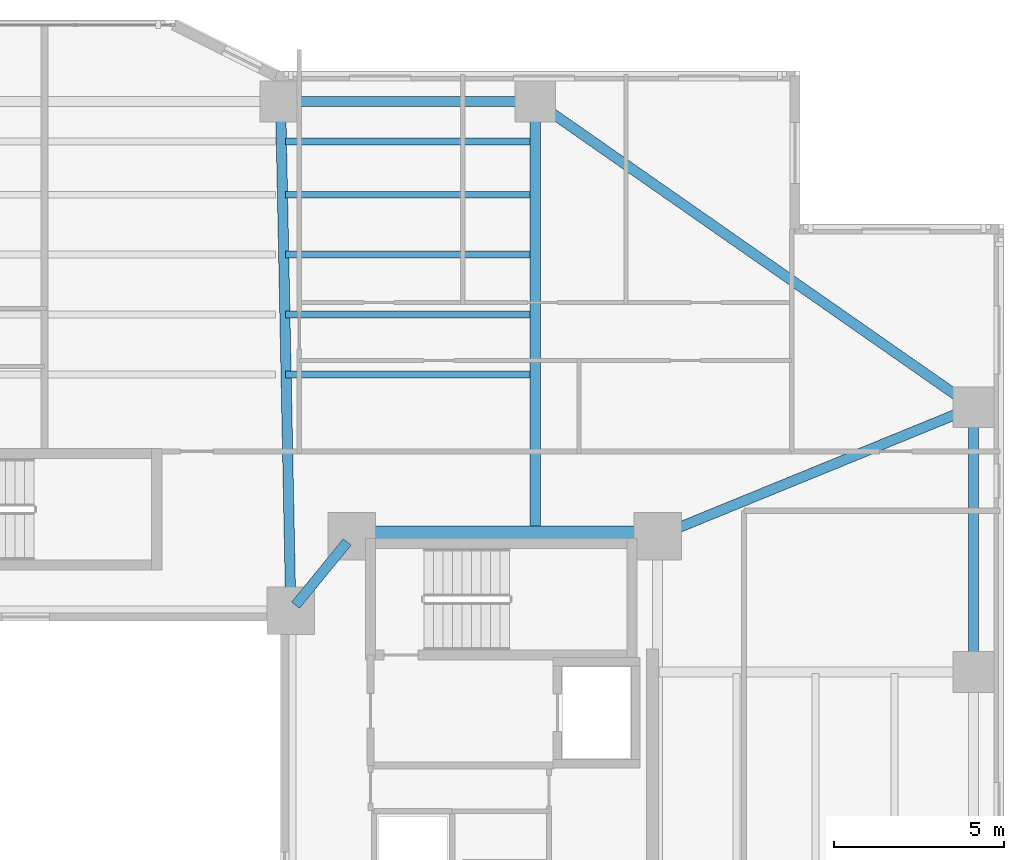
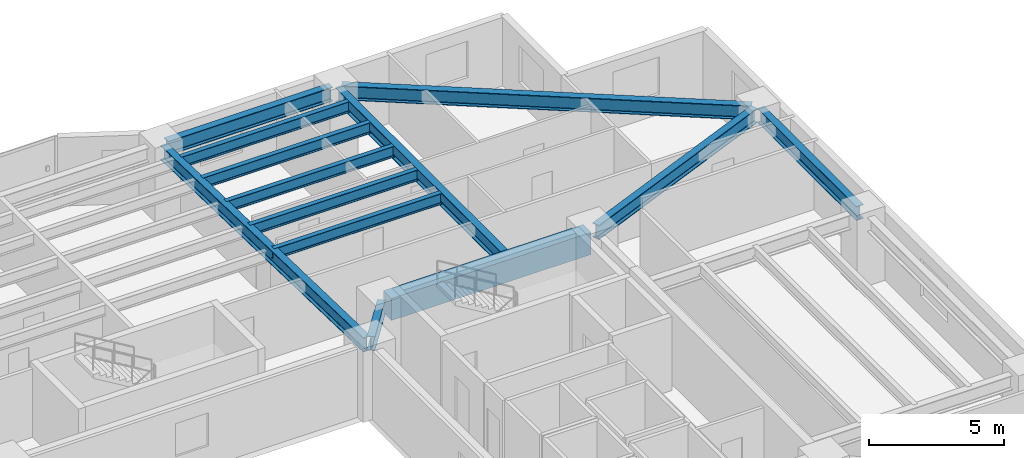
# One storey, part 7 of 20: 13 beams.
"""IFC4 building model written with IfcOpenShell, lengths in metres."""

from ifc_helpers import new_model, si_unit, direction, frame, origin, origin_2d, place, context, subcontext, project, spatial, rectangle, i_section, extrude, material, material_profile, profile_set, type_object, element, save


model = new_model("IFC4")

# Units and contexts
model_context = context("Model", 3, precision=1e-05, world=origin(), true_north=direction((0.0, 1.0)))
body_context = subcontext(model_context, "Body", "Model", "MODEL_VIEW")
ifc_project = project(units=[si_unit("LENGTHUNIT", "METRE"), si_unit("AREAUNIT", "SQUARE_METRE"), si_unit("VOLUMEUNIT", "CUBIC_METRE"), si_unit("PLANEANGLEUNIT", "RADIAN"), si_unit("MASSUNIT", "GRAM", prefix="KILO")], contexts=[model_context])

# Site, building, storey
site_placement = place(None, origin())
site = spatial("IfcSite", under=ifc_project, at=site_placement, CompositionType="ELEMENT")
building_placement = place(site_placement, origin())
building = spatial("IfcBuilding", under=site, at=building_placement, Name="Tarnavaz Court Tower", CompositionType="ELEMENT")
storey_placement = place(building_placement, frame((0.0, 0.0, 34.050048828125)))
storey = spatial("IfcBuildingStorey", under=building, at=storey_placement, Name="L08", CompositionType="ELEMENT", Elevation=34.050048828125)

# Beams
ifc_material_1 = material(Name="Concrete C60/75", Category="concrete")
ifc_material_profile_1 = material_profile(ifc_material_1, rectangle(XDim=0.60009765625, YDim=1.0, at=origin_2d()), Name="RC 600X1000")
ifc_profile_set_1 = profile_set([ifc_material_profile_1], Name="Concrete C60/75")
beam_type_1 = type_object("IfcBeamType", Name="BM-CB1000", PredefinedType="LINTEL", material=ifc_profile_set_1)
beam_1_placement = place(storey_placement, frame((18.3798828125, 10.0, 2.599853515625), z_axis=(-1.0, 0.0, 0.0), x_axis=(0.0, -1.0, 0.0)))
element("IfcBeam", 1, at=beam_1_placement, inside=storey, type_object=beam_type_1, Name="L08 Beam IN-CE-NO-CE-NI", PredefinedType="LINTEL", context=body_context, shape_type="SweptSolid", body=[
    extrude(rectangle(XDim=0.60009765625, YDim=1.0, at=origin_2d()), origin(), (0.0, 0.0, 1.0), 8.559814453125),
])
ifc_material_2 = material(Name="Steel S355", Category="steel")
ifc_material_profile_2 = material_profile(ifc_material_2, i_section(OverallWidth=0.300048828125, OverallDepth=0.64990234375, WebThickness=0.01611328125, FlangeThickness=0.031005859375, FilletRadius=0.027099609375, at=origin_2d()), Name="HEB 650")
ifc_profile_set_2 = profile_set([ifc_material_profile_2], Name="Steel S355")
beam_type_2 = type_object("IfcBeamType", Name="BM-G-HEB650", PredefinedType="USERDEFINED", material=ifc_profile_set_2)
beam_2_placement = place(storey_placement, frame((9.460693359375, 9.82958984375, 2.77490234375), z_axis=(-0.633282058357, -0.773921077735, 0.0), x_axis=(0.773921077735, -0.633282058357, 0.0)))
element("IfcBeam", 2, at=beam_2_placement, inside=storey, type_object=beam_type_2, Name="L08 Beam IN-CE-NI-IW-NE", ObjectType="GIRDER", PredefinedType="USERDEFINED", context=body_context, shape_type="SweptSolid", body=[
    extrude(i_section(OverallWidth=0.300048828125, OverallDepth=0.64990234375, WebThickness=0.01611328125, FlangeThickness=0.031005859375, FilletRadius=0.027099609375, at=origin_2d()), origin(), (0.0, 0.0, 1.0), 2.402587890625),
])
beam_3_placement = place(storey_placement, frame((7.795654296875, 8.02001953125, 2.77490234375), z_axis=(-0.020000023066, 0.999799979535, 0.0), x_axis=(-0.999799979535, -0.020000023066, 0.0)))
element("IfcBeam", 3, at=beam_3_placement, inside=storey, type_object=beam_type_2, Name="L08 Beam RG-03", ObjectType="GIRDER", PredefinedType="USERDEFINED", context=body_context, shape_type="SweptSolid", body=[
    extrude(i_section(OverallWidth=0.300048828125, OverallDepth=0.64990234375, WebThickness=0.01611328125, FlangeThickness=0.031005859375, FilletRadius=0.027099609375, at=origin_2d()), origin(), (0.0, 0.0, 1.0), 14.56298828125),
])
beam_4_placement = place(storey_placement, frame((15.0, 10.0400390625, 2.77490234375), z_axis=(0.0, 1.0, 0.0), x_axis=(-1.0, 0.0, 0.0)))
element("IfcBeam", 4, at=beam_4_placement, inside=storey, type_object=beam_type_2, Name="L08 Beam RG-04", ObjectType="GIRDER", PredefinedType="USERDEFINED", context=body_context, shape_type="SweptSolid", body=[
    extrude(i_section(OverallWidth=0.300048828125, OverallDepth=0.64990234375, WebThickness=0.01611328125, FlangeThickness=0.031005859375, FilletRadius=0.027099609375, at=origin_2d()), origin(), (0.0, 0.0, 1.0), 12.5400390625),
])
beam_5_placement = place(storey_placement, frame((18.8037109375, 10.083251953125, 2.77490234375), z_axis=(0.925704761705, 0.378246869329, 0.0), x_axis=(-0.378246869329, 0.925704761705, 0.0)))
element("IfcBeam", 5, at=beam_5_placement, inside=storey, type_object=beam_type_2, Name="L08 Beam RG-12", ObjectType="GIRDER", PredefinedType="USERDEFINED", context=body_context, shape_type="SweptSolid", body=[
    extrude(i_section(OverallWidth=0.300048828125, OverallDepth=0.64990234375, WebThickness=0.01611328125, FlangeThickness=0.031005859375, FilletRadius=0.027099609375, at=origin_2d()), origin(), (0.0, 0.0, 1.0), 9.606201171875),
])
ifc_material_profile_3 = material_profile(ifc_material_2, i_section(OverallWidth=0.199951171875, OverallDepth=0.5, WebThickness=0.01025390625, FlangeThickness=0.01611328125, FilletRadius=0.02099609375, at=origin_2d()), Name="IPE 500")
ifc_profile_set_3 = profile_set([ifc_material_profile_3], Name="Steel S355")
beam_type_3 = type_object("IfcBeamType", Name="BM-J-IPE500", PredefinedType="JOIST", material=ifc_profile_set_3)
for number, where, z_axis, x_axis, name in (
    (6, (7.64990234375, 14.763916015625, 2.849853515625), (1.0, 0.0, 0.0), (0.0, 1.0, 0.0), "L08 Beam JN1-3"),
    (7, (7.64990234375, 16.528076171875, 2.849853515625), (1.0, 0.0, 0.0), (0.0, 1.0, 0.0), "L08 Beam JN2-3"),
    (8, (7.64990234375, 18.2919921875, 2.849853515625), (1.0, 0.0, 0.0), (0.0, 1.0, 0.0), "L08 Beam JN3-3"),
    (9, (7.64990234375, 20.055908203125, 2.849853515625), (1.0, 0.0, 0.0), (0.0, 1.0, 0.0), "L08 Beam JN4-3"),
    (10, (7.64990234375, 21.6240234375, 2.849853515625), (1.0, 0.0, 0.0), (0.0, 1.0, 0.0), "L08 Beam JN5-3"),
):
    element("IfcBeam", number, at=place(storey_placement, frame(where, z_axis=z_axis, x_axis=x_axis)), inside=storey, type_object=beam_type_3, Name=name, PredefinedType="JOIST", context=body_context, shape_type="SweptSolid", body=[
        extrude(i_section(OverallWidth=0.199951171875, OverallDepth=0.5, WebThickness=0.01025390625, FlangeThickness=0.01611328125, FilletRadius=0.02099609375, at=origin_2d()), origin(), (0.0, 0.0, 1.0), 7.2001953125),
    ])
ifc_material_profile_4 = material_profile(ifc_material_2, i_section(OverallWidth=0.300048828125, OverallDepth=0.639892578125, WebThickness=0.013427734375, FlangeThickness=0.02587890625, FilletRadius=0.027099609375, at=origin_2d()), Name="HEA 650")
ifc_profile_set_4 = profile_set([ifc_material_profile_4], Name="Steel S355")
beam_type_4 = type_object("IfcBeamType", Name="BM-SP-HEA650", PredefinedType="SPANDREL", material=ifc_profile_set_4)
beam_6_placement = place(storey_placement, frame((7.719970703125, 22.800048828125, 2.780029296875), z_axis=(1.0, 0.0, 0.0), x_axis=(0.0, 1.0, 0.0)))
element("IfcBeam", 11, at=beam_6_placement, inside=storey, type_object=beam_type_4, Name="L08 Beam PR-PN-3-PN-4", PredefinedType="SPANDREL", context=body_context, shape_type="SweptSolid", body=[
    extrude(i_section(OverallWidth=0.300048828125, OverallDepth=0.639892578125, WebThickness=0.013427734375, FlangeThickness=0.02587890625, FilletRadius=0.027099609375, at=origin_2d()), origin(), (0.0, 0.0, 1.0), 7.06005859375),
])
beam_7_placement = place(storey_placement, frame((27.89990234375, 6.219970703125, 2.780029296875), z_axis=(0.0, 1.0, 0.0), x_axis=(-1.0, 0.0, 0.0)))
element("IfcBeam", 12, at=beam_7_placement, inside=storey, type_object=beam_type_4, Name="L08 Beam PR-PE-3-PE-4", PredefinedType="SPANDREL", context=body_context, shape_type="SweptSolid", body=[
    extrude(i_section(OverallWidth=0.300048828125, OverallDepth=0.639892578125, WebThickness=0.013427734375, FlangeThickness=0.02587890625, FilletRadius=0.027099609375, at=origin_2d()), origin(), (0.0, 0.0, 1.0), 7.360107421875),
])
beam_8_placement = place(storey_placement, frame((15.180419921875, 22.674072265625, 2.780029296875), z_axis=(0.820123643324, -0.572186341729, 0.0), x_axis=(0.572186341729, 0.820123643324, 0.0)))
element("IfcBeam", 13, at=beam_8_placement, inside=storey, type_object=beam_type_4, Name="L08 Beam PR-PN-4-PE-4", PredefinedType="SPANDREL", context=body_context, shape_type="SweptSolid", body=[
    extrude(i_section(OverallWidth=0.300048828125, OverallDepth=0.639892578125, WebThickness=0.013427734375, FlangeThickness=0.02587890625, FilletRadius=0.027099609375, at=origin_2d()), origin(), (0.0, 0.0, 1.0), 15.289306640625),
])

save(model, "model.ifc")
